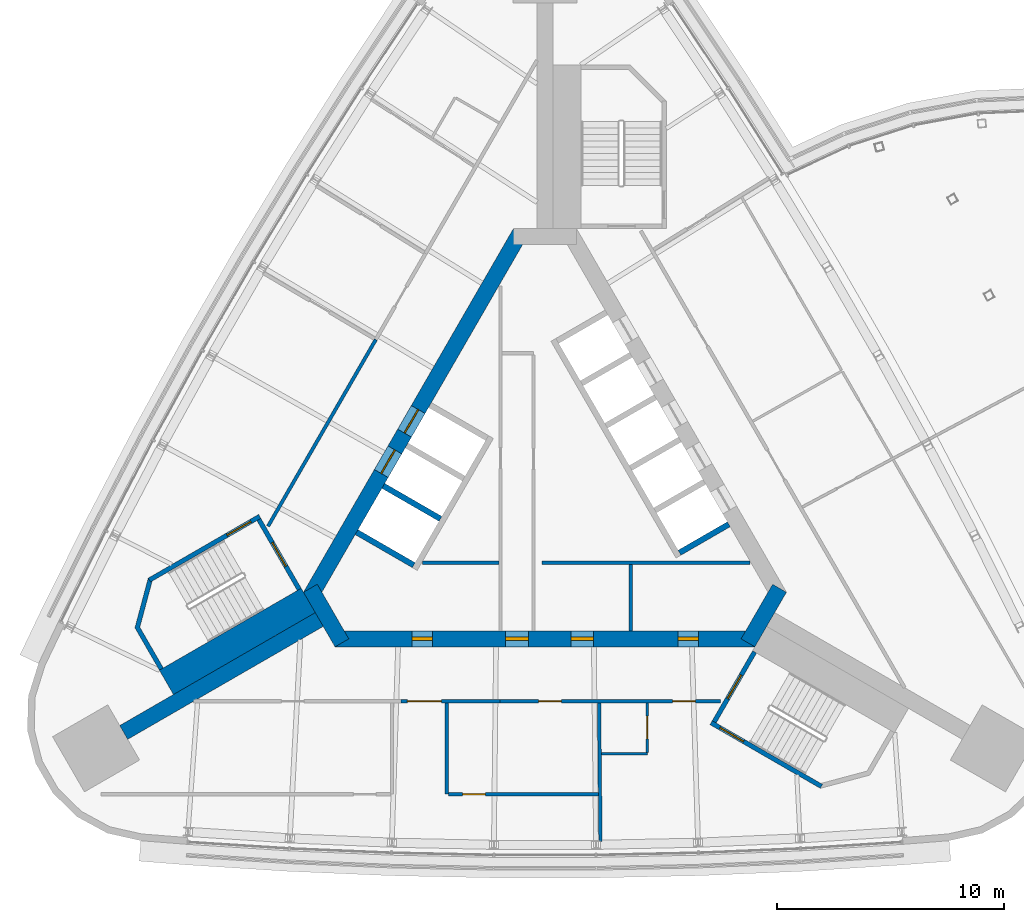
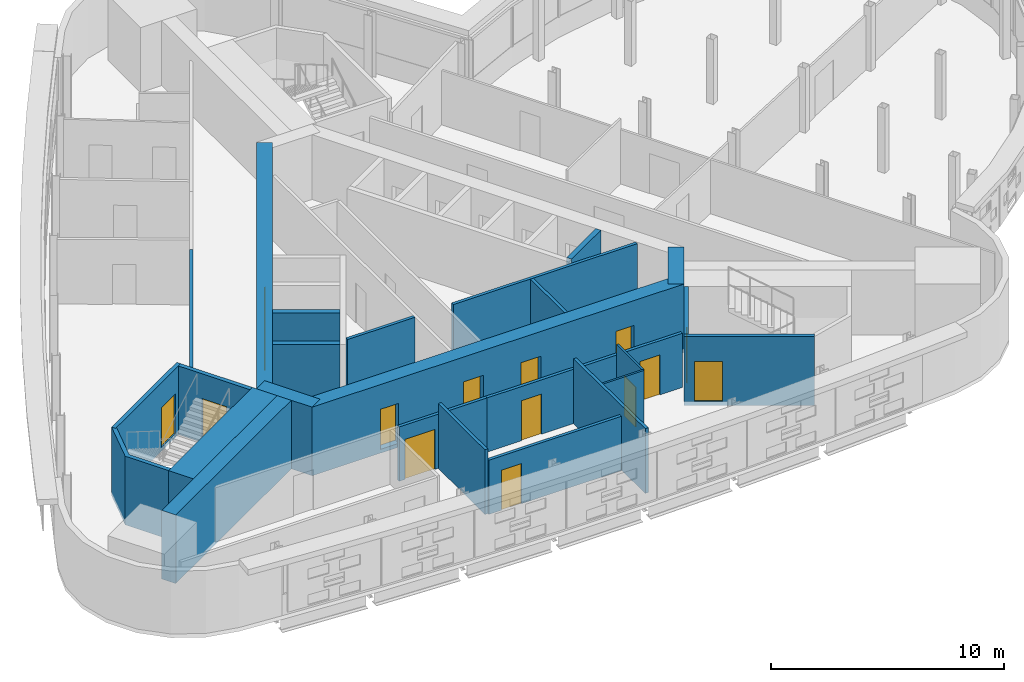
# One storey, part 10 of 15: 25 walls, 15 doors, 15 openings.
"""IFC4 building model written with IfcOpenShell, lengths in metres."""

from ifc_helpers import new_model, si_unit, direction, frame, frame_2d, origin, place, context, subcontext, project, spatial, polyline, rectangle, outline, extrude, material, layer, layer_set, type_object, element, fill, save


model = new_model("IFC4")

# Units and contexts
model_context = context("Model", 3, precision=1e-05, world=origin(), true_north=direction((0.0, 1.0)))
body_context = subcontext(model_context, "Body", "Model", "MODEL_VIEW")
ifc_project = project(units=[si_unit("LENGTHUNIT", "METRE"), si_unit("AREAUNIT", "SQUARE_METRE"), si_unit("VOLUMEUNIT", "CUBIC_METRE"), si_unit("PLANEANGLEUNIT", "RADIAN"), si_unit("MASSUNIT", "GRAM", prefix="KILO")], contexts=[model_context])

# Site, building, storey
site_placement = place(None, origin())
site = spatial("IfcSite", under=ifc_project, at=site_placement, CompositionType="ELEMENT")
building_placement = place(site_placement, origin())
building = spatial("IfcBuilding", under=site, at=building_placement, Name="Noor Cloister Tower", CompositionType="ELEMENT")
storey_placement = place(building_placement, frame((0.0, 0.0, 174.300048828125)))
storey = spatial("IfcBuildingStorey", under=building, at=storey_placement, Name="L44", CompositionType="ELEMENT", Elevation=174.300048828125)

# Walls
ifc_material_1 = material(Name="Concrete C70/85", Category="concrete")
ifc_layer_1 = layer(ifc_material_1, 0.699951171875)
ifc_layer_set_1 = layer_set([ifc_layer_1], Name="Buttress wall 700 C70/85")
wall_type_1 = type_object("IfcWallType", Name="Buttress wall 700 C70/85", PredefinedType="SHEAR", material=ifc_layer_set_1)
wall_1_placement = place(storey_placement, frame((-9.921630859375, -5.728271484375, -0.199951171875), z_axis=(0.0, 0.0, 1.0), x_axis=(-0.866029553954, -0.499992811627, 0.0)))
element("IfcWall", 1, at=wall_1_placement, inside=storey, type_object=wall_type_1, Name="Buttress wall SW L44", PredefinedType="SHEAR", context=body_context, shape_type="SweptSolid", body=[
    extrude(rectangle(XDim=9.927490234375, YDim=0.699951171875, at=frame_2d((4.9638671875, 0.0))), origin(), (0.0, 0.0, 1.0), 3.599853515625),
])
ifc_material_2 = material(Name="Concrete C30/37", Category="concrete")
ifc_layer_2 = layer(ifc_material_2, 0.14990234375)
ifc_layer_set_2 = layer_set([ifc_layer_2], Name="Core partition 150 C30/37")
wall_type_2 = type_object("IfcWallType", Name="Core partition 150 C30/37", PredefinedType="PARTITIONING", material=ifc_layer_set_2)
wall_2_placement = place(storey_placement, frame((-5.373291015625, -3.228271484375, 0.0), z_axis=(0.0, 0.0, 1.0), x_axis=(1.0, 0.0, 0.0)))
element("IfcWall", 2, at=wall_2_placement, inside=storey, type_object=wall_type_2, Name="Core room partition L44 1", PredefinedType="PARTITIONING", context=body_context, shape_type="SweptSolid", body=[
    extrude(rectangle(XDim=3.344482421875, YDim=0.14990234375, at=frame_2d((1.67236328125, 0.0))), origin(), (0.0, 0.0, 1.0), 3.39990234375),
])
wall_3_placement = place(storey_placement, frame((-0.128662109375, -3.228271484375, 0.0), z_axis=(0.0, 0.0, 1.0), x_axis=(1.0, 0.0, 0.0)))
element("IfcWall", 3, at=wall_3_placement, inside=storey, type_object=wall_type_2, Name="Core room partition L44 5", PredefinedType="PARTITIONING", context=body_context, shape_type="SweptSolid", body=[
    extrude(rectangle(XDim=9.13916015625, YDim=0.14990234375, at=frame_2d((4.569580078125, 0.0))), origin(), (0.0, 0.0, 1.0), 3.39990234375),
])
wall_4_placement = place(storey_placement, frame((3.771240234375, -3.30322265625, 0.0), z_axis=(0.0, 0.0, 1.0), x_axis=(0.0, -1.0, 0.0)))
element("IfcWall", 4, at=wall_4_placement, inside=storey, type_object=wall_type_2, Name="Core room partition L44 6", PredefinedType="PARTITIONING", context=body_context, shape_type="SweptSolid", body=[
    extrude(rectangle(XDim=2.925048828125, YDim=0.14990234375, at=frame_2d((1.46240234375, 0.0))), origin(), (0.0, 0.0, 1.0), 3.39990234375),
])

# Wall, openings, doors
ifc_material_3 = material(Name="Concrete C70/85", Category="concrete")
ifc_layer_3 = layer(ifc_material_3, 0.699951171875)
ifc_layer_set_3 = layer_set([ifc_layer_3], Name="Core wall 700 C70/85")
wall_type_3 = type_object("IfcWallType", Name="Core wall 700 C70/85", PredefinedType="SHEAR", material=ifc_layer_set_3)
wall_5_placement = place(storey_placement, frame((-9.228759765625, -6.578125, -0.199951171875), z_axis=(0.0, 0.0, 1.0), x_axis=(1.0, 0.0, 0.0)))
wall_5 = element("IfcWall", 5, at=wall_5_placement, inside=storey, type_object=wall_type_3, Name="Core wall L44 1", PredefinedType="SHEAR", context=body_context, shape_type="SweptSolid", body=[
    extrude(rectangle(XDim=18.45751953125, YDim=0.699951171875, at=frame_2d((9.228759765625, 0.0))), origin(), (0.0, 0.0, 1.0), 3.599853515625),
])
opening_1_placement = place(wall_5_placement, frame((7.5, 0.0, 0.199951171875)))
opening_1 = element("IfcOpeningElement", 6, at=opening_1_placement, cuts=wall_5, Name="Opening L44-901", PredefinedType="OPENING", context=body_context, shape_type="SweptSolid", body=[
    extrude(rectangle(XDim=1.0, YDim=2.10009765625, at=frame_2d((0.5, 1.050048828125))), frame((0.0, 0.35986328125, 0.0), z_axis=(0.0, -1.0, 0.0), x_axis=(1.0, 0.0, 0.0)), (0.0, 0.0, 1.0), 0.719970703125),
])
opening_2_placement = place(wall_5_placement, frame((3.389404296875, 0.0, 0.199951171875)))
opening_2 = element("IfcOpeningElement", 7, at=opening_2_placement, cuts=wall_5, Name="Opening L44-902", PredefinedType="OPENING", context=body_context, shape_type="SweptSolid", body=[
    extrude(rectangle(XDim=0.89990234375, YDim=2.10009765625, at=frame_2d((0.449951171875, 1.050048828125))), frame((0.0, 0.35986328125, 0.0), z_axis=(0.0, -1.0, 0.0), x_axis=(1.0, 0.0, 0.0)), (0.0, 0.0, 1.0), 0.719970703125),
])
opening_3_placement = place(wall_5_placement, frame((10.362548828125, 0.0, 0.199951171875)))
opening_3 = element("IfcOpeningElement", 8, at=opening_3_placement, cuts=wall_5, Name="Opening L44-903", PredefinedType="OPENING", context=body_context, shape_type="SweptSolid", body=[
    extrude(rectangle(XDim=1.0, YDim=2.10009765625, at=frame_2d((0.5, 1.050048828125))), frame((0.0, 0.35986328125, 0.0), z_axis=(0.0, -1.0, 0.0), x_axis=(1.0, 0.0, 0.0)), (0.0, 0.0, 1.0), 0.719970703125),
])
opening_4_placement = place(wall_5_placement, frame((15.07666015625, 0.0, 0.199951171875)))
opening_4 = element("IfcOpeningElement", 9, at=opening_4_placement, cuts=wall_5, Name="Opening L44-904", PredefinedType="OPENING", context=body_context, shape_type="SweptSolid", body=[
    extrude(rectangle(XDim=0.89990234375, YDim=2.10009765625, at=frame_2d((0.449951171875, 1.050048828125))), frame((0.0, 0.35986328125, 0.0), z_axis=(0.0, -1.0, 0.0), x_axis=(1.0, 0.0, 0.0)), (0.0, 0.0, 1.0), 0.719970703125),
])
ifc_material_4 = material(Name="Steel", Category="steel")
door_type_1 = type_object("IfcDoorType", Name="Core door 1000 x 2100 FD120", OperationType="SINGLE_SWING_LEFT", PredefinedType="DOOR", material=ifc_material_4)
door_1_placement = place(opening_1_placement, origin())
door_1 = element("IfcDoor", 10, at=door_1_placement, inside=storey, type_object=door_type_1, Name="Core door 1 L44", OperationType="SINGLE_SWING_LEFT", OverallHeight=2.10009765625, OverallWidth=1.0, PredefinedType="DOOR", context=body_context, shape_type="SweptSolid", body=[
    extrude(rectangle(XDim=1.0, YDim=2.10009765625, at=frame_2d((0.5, 1.050048828125))), frame((0.0, 0.074951171875, 0.0), z_axis=(0.0, -1.0, 0.0), x_axis=(1.0, 0.0, 0.0)), (0.0, 0.0, 1.0), 0.14990234375),
])
fill(opening_1, door_1)
ifc_material_5 = material(Name="Steel", Category="steel")
door_type_2 = type_object("IfcDoorType", Name="Core door 1000 x 2100 FD60", OperationType="SINGLE_SWING_LEFT", PredefinedType="DOOR", material=ifc_material_5)
door_2_placement = place(opening_3_placement, origin())
door_2 = element("IfcDoor", 11, at=door_2_placement, inside=storey, type_object=door_type_2, Name="Core door 3 L44", OperationType="SINGLE_SWING_LEFT", OverallHeight=2.10009765625, OverallWidth=1.0, PredefinedType="DOOR", context=body_context, shape_type="SweptSolid", body=[
    extrude(rectangle(XDim=1.0, YDim=2.10009765625, at=frame_2d((0.5, 1.050048828125))), frame((0.0, 0.074951171875, 0.0), z_axis=(0.0, -1.0, 0.0), x_axis=(1.0, 0.0, 0.0)), (0.0, 0.0, 1.0), 0.14990234375),
])
fill(opening_3, door_2)
ifc_material_6 = material(Name="Steel", Category="steel")
door_type_3 = type_object("IfcDoorType", Name="Core door 900 x 2100 FD120", OperationType="SINGLE_SWING_LEFT", PredefinedType="DOOR", material=ifc_material_6)
door_3_placement = place(opening_2_placement, origin())
door_3 = element("IfcDoor", 12, at=door_3_placement, inside=storey, type_object=door_type_3, Name="Core door 2 L44", OperationType="SINGLE_SWING_RIGHT", OverallHeight=2.10009765625, OverallWidth=0.89990234375, PredefinedType="DOOR", context=body_context, shape_type="SweptSolid", body=[
    extrude(rectangle(XDim=0.89990234375, YDim=2.10009765625, at=frame_2d((0.449951171875, 1.050048828125))), frame((0.0, 0.074951171875, 0.0), z_axis=(0.0, -1.0, 0.0), x_axis=(1.0, 0.0, 0.0)), (0.0, 0.0, 1.0), 0.14990234375),
])
fill(opening_2, door_3)
ifc_material_7 = material(Name="Steel", Category="steel")
door_type_4 = type_object("IfcDoorType", Name="Core door 900 x 2100 FD60", OperationType="SINGLE_SWING_LEFT", PredefinedType="DOOR", material=ifc_material_7)
door_4_placement = place(opening_4_placement, origin())
door_4 = element("IfcDoor", 13, at=door_4_placement, inside=storey, type_object=door_type_4, Name="Core door 4 L44", OperationType="SINGLE_SWING_RIGHT", OverallHeight=2.10009765625, OverallWidth=0.89990234375, PredefinedType="DOOR", context=body_context, shape_type="SweptSolid", body=[
    extrude(rectangle(XDim=0.89990234375, YDim=2.10009765625, at=frame_2d((0.449951171875, 1.050048828125))), frame((0.0, 0.074951171875, 0.0), z_axis=(0.0, -1.0, 0.0), x_axis=(1.0, 0.0, 0.0)), (0.0, 0.0, 1.0), 0.14990234375),
])
fill(opening_4, door_4)

# Wall
wall_6_placement = place(storey_placement, frame((8.925537109375, -6.753173828125, -0.199951171875), z_axis=(0.0, 0.0, 1.0), x_axis=(0.500042739161, 0.866000726912, 0.0)))
element("IfcWall", 14, at=wall_6_placement, inside=storey, type_object=wall_type_3, Name="Core wall L44 2", PredefinedType="SHEAR", context=body_context, shape_type="SweptSolid", body=[
    extrude(rectangle(XDim=2.771240234375, YDim=0.699951171875, at=frame_2d((1.3857421875, 0.0))), origin(), (0.0, 0.0, 1.0), 3.599853515625),
])

# Wall, openings, doors
wall_7_placement = place(storey_placement, frame((-1.08251953125, 11.281494140625, -0.199951171875), z_axis=(0.0, 0.0, 1.0), x_axis=(-0.500001446645, -0.866024568562, 0.0)))
wall_7 = element("IfcWall", 15, at=wall_7_placement, inside=storey, type_object=wall_type_3, Name="Core wall L44 5", PredefinedType="SHEAR", context=body_context, shape_type="SweptSolid", body=[
    extrude(rectangle(XDim=18.45751953125, YDim=0.699951171875, at=frame_2d((9.228759765625, 0.0))), origin(), (0.0, 0.0, 1.0), 3.599853515625),
])
opening_5_placement = place(wall_7_placement, frame((8.978759765625, 0.0, 0.199951171875)))
opening_5 = element("IfcOpeningElement", 16, at=opening_5_placement, cuts=wall_7, Name="Opening L44-FF1", PredefinedType="OPENING", context=body_context, shape_type="SweptSolid", body=[
    extrude(rectangle(XDim=1.199951171875, YDim=2.10009765625, at=frame_2d((0.60009765625, 1.050048828125))), frame((0.0, 0.35986328125, 0.0), z_axis=(0.0, -1.0, 0.0), x_axis=(1.0, 0.0, 0.0)), (0.0, 0.0, 1.0), 0.719970703125),
])
opening_6_placement = place(wall_7_placement, frame((11.02880859375, 0.0, 0.199951171875)))
opening_6 = element("IfcOpeningElement", 17, at=opening_6_placement, cuts=wall_7, Name="Opening L44-FF2", PredefinedType="OPENING", context=body_context, shape_type="SweptSolid", body=[
    extrude(rectangle(XDim=1.199951171875, YDim=2.10009765625, at=frame_2d((0.60009765625, 1.050048828125))), frame((0.0, 0.35986328125, 0.0), z_axis=(0.0, -1.0, 0.0), x_axis=(1.0, 0.0, 0.0)), (0.0, 0.0, 1.0), 0.719970703125),
])
ifc_material_8 = material(Name="Stainless steel", Category="steel")
door_type_5 = type_object("IfcDoorType", Name="Lift landing door 1200 x 2100", OperationType="DOUBLE_DOOR_SLIDING", PredefinedType="DOOR", material=ifc_material_8)
door_5_placement = place(opening_5_placement, origin())
door_5 = element("IfcDoor", 18, at=door_5_placement, inside=storey, type_object=door_type_5, Name="Landing door FF1 L44", OperationType="DOUBLE_DOOR_SLIDING", OverallHeight=2.10009765625, OverallWidth=1.199951171875, PredefinedType="DOOR", context=body_context, shape_type="SweptSolid", body=[
    extrude(rectangle(XDim=1.199951171875, YDim=2.10009765625, at=frame_2d((0.60009765625, 1.050048828125))), frame((0.0, 0.02490234375, 0.0), z_axis=(0.0, -1.0, 0.0), x_axis=(1.0, 0.0, 0.0)), (0.0, 0.0, 1.0), 0.050048828125),
])
fill(opening_5, door_5)
door_6_placement = place(opening_6_placement, origin())
door_6 = element("IfcDoor", 19, at=door_6_placement, inside=storey, type_object=door_type_5, Name="Landing door FF2 L44", OperationType="DOUBLE_DOOR_SLIDING", OverallHeight=2.10009765625, OverallWidth=1.199951171875, PredefinedType="DOOR", context=body_context, shape_type="SweptSolid", body=[
    extrude(rectangle(XDim=1.199951171875, YDim=2.10009765625, at=frame_2d((0.60009765625, 1.050048828125))), frame((0.0, 0.02490234375, 0.0), z_axis=(0.0, -1.0, 0.0), x_axis=(1.0, 0.0, 0.0)), (0.0, 0.0, 1.0), 0.050048828125),
])
fill(opening_6, door_6)

# Walls
wall_8_placement = place(storey_placement, frame((-10.311279296875, -4.353271484375, -0.199951171875), z_axis=(0.0, 0.0, 1.0), x_axis=(0.500042739161, -0.866000726912, 0.0)))
element("IfcWall", 20, at=wall_8_placement, inside=storey, type_object=wall_type_3, Name="Core wall L44 6", PredefinedType="SHEAR", context=body_context, shape_type="SweptSolid", body=[
    extrude(rectangle(XDim=2.771240234375, YDim=0.699951171875, at=frame_2d((1.3857421875, 0.0))), origin(), (0.0, 0.0, 1.0), 3.599853515625),
])
ifc_material_9 = material(Name="Fire-rated gypsum board partition on steel studs, 150 mm", Category="steel")
ifc_layer_4 = layer(ifc_material_9, 0.14990234375)
ifc_layer_set_4 = layer_set([ifc_layer_4], Name="Fire lobby wall 150")
wall_type_4 = type_object("IfcWallType", Name="Fire lobby wall 150", PredefinedType="PARTITIONING", material=ifc_layer_set_4)
wall_9_placement = place(storey_placement, frame((-7.43408203125, 6.580078125, 0.0), z_axis=(0.0, 0.0, 1.0), x_axis=(-0.499998195608, -0.866026445548, 0.0)))
element("IfcWall", 21, at=wall_9_placement, inside=storey, type_object=wall_type_4, Name="Wall L44-W19", PredefinedType="PARTITIONING", context=body_context, shape_type="SweptSolid", body=[
    extrude(rectangle(XDim=9.47802734375, YDim=0.14990234375, at=frame_2d((4.739013671875, 0.0))), origin(), (0.0, 0.0, 1.0), 2.846923828125),
])

# Wall, openings, doors
ifc_material_10 = material(Name="Gypsum board partition on steel studs, 150 mm", Category="steel")
ifc_layer_5 = layer(ifc_material_10, 0.14990234375)
ifc_layer_set_5 = layer_set([ifc_layer_5], Name="Flat wall 150")
wall_type_5 = type_object("IfcWallType", Name="Flat wall 150", PredefinedType="PARTITIONING", material=ifc_layer_set_5)
wall_10_placement = place(storey_placement, frame((-1.977294921875, -9.328125, 0.0), z_axis=(0.0, 0.0, 1.0), x_axis=(1.0, 0.0, 0.0)))
wall_10 = element("IfcWall", 22, at=wall_10_placement, inside=storey, type_object=wall_type_5, Name="Wall L44-W09", PredefinedType="PARTITIONING", context=body_context, shape_type="SweptSolid", body=[
    extrude(rectangle(XDim=9.704833984375, YDim=0.14990234375, at=frame_2d((4.8525390625, 0.0))), origin(), (0.0, 0.0, 1.0), 2.846923828125),
])
opening_7_placement = place(wall_10_placement, frame((1.702392578125, 0.0, 0.0)))
opening_7 = element("IfcOpeningElement", 23, at=opening_7_placement, cuts=wall_10, Name="Opening L44-012", PredefinedType="OPENING", context=body_context, shape_type="SweptSolid", body=[
    extrude(rectangle(XDim=1.0, YDim=2.10009765625, at=frame_2d((0.5, 1.050048828125))), frame((0.0, 0.0849609375, 0.0), z_axis=(0.0, -1.0, 0.0), x_axis=(1.0, 0.0, 0.0)), (0.0, 0.0, 1.0), 0.169921875),
])
opening_8_placement = place(wall_10_placement, frame((7.592041015625, 0.0, 0.0)))
opening_8 = element("IfcOpeningElement", 24, at=opening_8_placement, cuts=wall_10, Name="Opening L44-014", PredefinedType="OPENING", context=body_context, shape_type="SweptSolid", body=[
    extrude(rectangle(XDim=1.0, YDim=2.10009765625, at=frame_2d((0.5, 1.050048828125))), frame((0.0, 0.0849609375, 0.0), z_axis=(0.0, -1.0, 0.0), x_axis=(1.0, 0.0, 0.0)), (0.0, 0.0, 1.0), 0.169921875),
])
ifc_material_11 = material(Name="Timber door leaf with steel frame", Category="steel")
door_type_6 = type_object("IfcDoorType", Name="Flat entrance door 1000", OperationType="NOTDEFINED", PredefinedType="DOOR", material=ifc_material_11)
door_7_placement = place(opening_8_placement, origin())
door_7 = element("IfcDoor", 25, at=door_7_placement, inside=storey, type_object=door_type_6, Name="Door L44-014", OperationType="SINGLE_SWING_RIGHT", OverallHeight=2.10009765625, OverallWidth=1.0, PredefinedType="DOOR", context=body_context, shape_type="SweptSolid", body=[
    extrude(rectangle(XDim=1.0, YDim=2.10009765625, at=frame_2d((0.5, 1.050048828125))), frame((0.0, 0.02490234375, 0.0), z_axis=(0.0, -1.0, 0.0), x_axis=(1.0, 0.0, 0.0)), (0.0, 0.0, 1.0), 0.050048828125),
])
fill(opening_8, door_7)
ifc_material_12 = material(Name="Timber door leaf with steel frame", Category="steel")
door_type_7 = type_object("IfcDoorType", Name="Interior door 1000 FD60", OperationType="NOTDEFINED", PredefinedType="DOOR", material=ifc_material_12)
door_8_placement = place(opening_7_placement, origin())
door_8 = element("IfcDoor", 26, at=door_8_placement, inside=storey, type_object=door_type_7, Name="Door L44-012", OperationType="SINGLE_SWING_RIGHT", OverallHeight=2.10009765625, OverallWidth=1.0, PredefinedType="DOOR", context=body_context, shape_type="SweptSolid", body=[
    extrude(rectangle(XDim=1.0, YDim=2.10009765625, at=frame_2d((0.5, 1.050048828125))), frame((0.0, 0.02490234375, 0.0), z_axis=(0.0, -1.0, 0.0), x_axis=(1.0, 0.0, 0.0)), (0.0, 0.0, 1.0), 0.050048828125),
])
fill(opening_7, door_8)

# Wall, opening, door
wall_11_placement = place(storey_placement, frame((-6.333984375, -9.328125, 0.0), z_axis=(0.0, 0.0, 1.0), x_axis=(1.0, 0.0, 0.0)))
wall_11 = element("IfcWall", 27, at=wall_11_placement, inside=storey, type_object=wall_type_5, Name="Wall L44-W10", PredefinedType="PARTITIONING", context=body_context, shape_type="SweptSolid", body=[
    extrude(rectangle(XDim=4.356689453125, YDim=0.14990234375, at=frame_2d((2.17822265625, 0.0))), origin(), (0.0, 0.0, 1.0), 2.846923828125),
])
opening_9_placement = place(wall_11_placement, frame((0.280517578125, 0.0, 0.0)))
opening_9 = element("IfcOpeningElement", 28, at=opening_9_placement, cuts=wall_11, Name="Opening L44-008", PredefinedType="OPENING", context=body_context, shape_type="SweptSolid", body=[
    extrude(rectangle(XDim=1.5, YDim=2.10009765625, at=frame_2d((0.75, 1.050048828125))), frame((0.0, 0.0849609375, 0.0), z_axis=(0.0, -1.0, 0.0), x_axis=(1.0, 0.0, 0.0)), (0.0, 0.0, 1.0), 0.169921875),
])
ifc_material_13 = material(Name="Timber door leaf with steel frame", Category="steel")
door_type_8 = type_object("IfcDoorType", Name="Double door 1500 FD60", OperationType="NOTDEFINED", PredefinedType="DOOR", material=ifc_material_13)
door_9_placement = place(opening_9_placement, origin())
door_9 = element("IfcDoor", 29, at=door_9_placement, inside=storey, type_object=door_type_8, Name="Door L44-008", OperationType="DOUBLE_DOOR_SINGLE_SWING", OverallHeight=2.10009765625, OverallWidth=1.5, PredefinedType="DOOR", context=body_context, shape_type="SweptSolid", body=[
    extrude(rectangle(XDim=1.5, YDim=2.10009765625, at=frame_2d((0.75, 1.050048828125))), frame((0.0, 0.02490234375, 0.0), z_axis=(0.0, -1.0, 0.0), x_axis=(1.0, 0.0, 0.0)), (0.0, 0.0, 1.0), 0.050048828125),
])
fill(opening_9, door_9)

# Walls
wall_12_placement = place(storey_placement, frame((2.442626953125, -15.47900390625, 0.0), z_axis=(0.0, 0.0, 1.0), x_axis=(-0.010607777316, 0.999943735947, 0.0)))
element("IfcWall", 30, at=wall_12_placement, inside=storey, type_object=wall_type_5, Name="Wall L44-W11", PredefinedType="PARTITIONING", context=body_context, shape_type="SweptSolid", body=[
    extrude(rectangle(XDim=6.075927734375, YDim=0.14990234375, at=frame_2d((3.0380859375, 0.0))), origin(), (0.0, 0.0, 1.0), 3.39990234375),
])
wall_13_placement = place(storey_placement, frame((-4.322998046875, -9.4033203125, 0.0), z_axis=(0.0, 0.0, 1.0), x_axis=(0.0, -1.0, 0.0)))
element("IfcWall", 31, at=wall_13_placement, inside=storey, type_object=wall_type_5, Name="Wall L44-W13", PredefinedType="PARTITIONING", context=body_context, shape_type="SweptSolid", body=[
    extrude(rectangle(XDim=4.004638671875, YDim=0.14990234375, at=frame_2d((2.00244140625, 0.0))), origin(), (0.0, 0.0, 1.0), 3.39990234375),
])

# Wall, opening, door
wall_14_placement = place(storey_placement, frame((-4.248046875, -13.407958984375, 0.0), z_axis=(0.0, 0.0, 1.0), x_axis=(1.0, 0.0, 0.0)))
wall_14 = element("IfcWall", 32, at=wall_14_placement, inside=storey, type_object=wall_type_5, Name="Wall L44-W15", PredefinedType="PARTITIONING", context=body_context, shape_type="SweptSolid", body=[
    extrude(rectangle(XDim=6.593505859375, YDim=0.14990234375, at=frame_2d((3.296875, 0.0))), origin(), (0.0, 0.0, 1.0), 2.846923828125),
])
opening_10_placement = place(wall_14_placement, frame((0.625, 0.0, 0.0)))
opening_10 = element("IfcOpeningElement", 33, at=opening_10_placement, cuts=wall_14, Name="Opening L44-011", PredefinedType="OPENING", context=body_context, shape_type="SweptSolid", body=[
    extrude(rectangle(XDim=1.0, YDim=2.10009765625, at=frame_2d((0.5, 1.050048828125))), frame((0.0, 0.0849609375, 0.0), z_axis=(0.0, -1.0, 0.0), x_axis=(1.0, 0.0, 0.0)), (0.0, 0.0, 1.0), 0.169921875),
])
door_10_placement = place(opening_10_placement, origin())
door_10 = element("IfcDoor", 34, at=door_10_placement, inside=storey, type_object=door_type_7, Name="Door L44-011", OperationType="SINGLE_SWING_LEFT", OverallHeight=2.10009765625, OverallWidth=1.0, PredefinedType="DOOR", context=body_context, shape_type="SweptSolid", body=[
    extrude(rectangle(XDim=1.0, YDim=2.10009765625, at=frame_2d((0.5, 1.050048828125))), frame((0.0, 0.02490234375, 0.0), z_axis=(0.0, -1.0, 0.0), x_axis=(1.0, 0.0, 0.0)), (0.0, 0.0, 1.0), 0.050048828125),
])
fill(opening_10, door_10)

# Wall
ifc_material_14 = material(Name="Gypsum board partition on steel studs, 100 mm", Category="steel")
ifc_layer_6 = layer(ifc_material_14, 0.10009765625)
ifc_layer_set_6 = layer_set([ifc_layer_6], Name="Partition 100")
wall_type_6 = type_object("IfcWallType", Name="Partition 100", PredefinedType="PARTITIONING", material=ifc_layer_set_6)
wall_15_placement = place(storey_placement, frame((2.476806640625, -11.628173828125, 0.0), z_axis=(0.0, 0.0, 1.0), x_axis=(1.0, 0.0, 0.0)))
element("IfcWall", 35, at=wall_15_placement, inside=storey, type_object=wall_type_6, Name="Wall L44-W16", PredefinedType="PARTITIONING", context=body_context, shape_type="SweptSolid", body=[
    extrude(rectangle(XDim=2.02490234375, YDim=0.10009765625, at=frame_2d((1.012451171875, 0.0))), origin(), (0.0, 0.0, 1.0), 3.39990234375),
])

# Wall, opening, door
wall_16_placement = place(storey_placement, frame((4.501708984375, -11.578125, 0.0), z_axis=(0.0, 0.0, 1.0), x_axis=(0.0, 1.0, 0.0)))
wall_16 = element("IfcWall", 36, at=wall_16_placement, inside=storey, type_object=wall_type_6, Name="Wall L44-W17", PredefinedType="PARTITIONING", context=body_context, shape_type="SweptSolid", body=[
    extrude(rectangle(XDim=2.1748046875, YDim=0.10009765625, at=frame_2d((1.08740234375, 0.0))), origin(), (0.0, 0.0, 1.0), 3.39990234375),
])
opening_11_placement = place(wall_16_placement, frame((0.60009765625, 0.0, 0.0)))
opening_11 = element("IfcOpeningElement", 37, at=opening_11_placement, cuts=wall_16, Name="Opening L44-013", PredefinedType="OPENING", context=body_context, shape_type="SweptSolid", body=[
    extrude(rectangle(XDim=1.0, YDim=2.10009765625, at=frame_2d((0.5, 1.050048828125))), frame((0.0, 0.06005859375, 0.0), z_axis=(0.0, -1.0, 0.0), x_axis=(1.0, 0.0, 0.0)), (0.0, 0.0, 1.0), 0.1201171875),
])
ifc_material_15 = material(Name="Timber door leaf with steel frame", Category="steel")
door_type_9 = type_object("IfcDoorType", Name="Interior door 1000", OperationType="NOTDEFINED", PredefinedType="DOOR", material=ifc_material_15)
door_11_placement = place(opening_11_placement, origin())
door_11 = element("IfcDoor", 38, at=door_11_placement, inside=storey, type_object=door_type_9, Name="Door L44-013", OperationType="SINGLE_SWING_LEFT", OverallHeight=2.10009765625, OverallWidth=1.0, PredefinedType="DOOR", context=body_context, shape_type="SweptSolid", body=[
    extrude(rectangle(XDim=1.0, YDim=2.10009765625, at=frame_2d((0.5, 1.050048828125))), frame((0.0, 0.02490234375, 0.0), z_axis=(0.0, -1.0, 0.0), x_axis=(1.0, 0.0, 0.0)), (0.0, 0.0, 1.0), 0.050048828125),
])
fill(opening_11, door_11)

# Walls
ifc_material_16 = material(Name="Concrete C70/85", Category="concrete")
ifc_layer_7 = layer(ifc_material_16, 0.25)
ifc_layer_set_7 = layer_set([ifc_layer_7], Name="Shaft wall 250 C70/85")
wall_type_7 = type_object("IfcWallType", Name="Shaft wall 250 C70/85", PredefinedType="PARTITIONING", material=ifc_layer_set_7)
wall_17_placement = place(storey_placement, frame((8.081298828125, -1.540771484375, -0.199951171875), z_axis=(0.0, 0.0, 1.0), x_axis=(-0.866022959057, -0.500004234368, 0.0)))
element("IfcWall", 39, at=wall_17_placement, inside=storey, type_object=wall_type_7, Name="Lift shaft wall L44 NE 1", PredefinedType="PARTITIONING", context=body_context, shape_type="SweptSolid", body=[
    extrude(rectangle(XDim=2.5, YDim=0.25, at=frame_2d((1.25, 0.0))), origin(), (0.0, 0.0, 1.0), 3.599853515625),
])
for number, where, z_axis, x_axis, name in (
    (40, (-7.106201171875, 0.14794921875, -0.199951171875), (0.0, 0.0, 1.0), (0.866032775405, -0.499987231761, 0.0), "Lift shaft wall L44 NW 5"),
    (41, (-8.28125, -1.88720703125, -0.199951171875), (0.0, 0.0, 1.0), (0.866032775405, -0.499987231761, 0.0), "Lift shaft wall L44 NW 6"),
):
    element("IfcWall", number, at=place(storey_placement, frame(where, z_axis=z_axis, x_axis=x_axis)), inside=storey, type_object=wall_type_7, Name=name, PredefinedType="PARTITIONING", context=body_context, shape_type="SweptSolid", body=[
        extrude(rectangle(XDim=2.89990234375, YDim=0.25, at=frame_2d((1.449951171875, 0.0))), origin(), (0.0, 0.0, 1.0), 3.599853515625),
    ])
ifc_material_17 = material(Name="Concrete C70/85", Category="concrete")
ifc_layer_8 = layer(ifc_material_17, 1.236083984375)
ifc_layer_set_8 = layer_set([ifc_layer_8], Name="Stair enclosure wall 1236 C70/85")
wall_type_8 = type_object("IfcWallType", Name="Stair enclosure wall 1236 C70/85", PredefinedType="SHEAR", material=ifc_layer_set_8)
wall_18_placement = place(storey_placement, frame((-10.405517578125, -4.889892578125, -0.199951171875), z_axis=(0.0, 0.0, 1.0), x_axis=(-0.866018442252, -0.500012057535, 0.0)))
element("IfcWall", 42, at=wall_18_placement, inside=storey, type_object=wall_type_8, Name="Stair enclosure wall ST2 L44 riser side", PredefinedType="SHEAR", context=body_context, shape_type="SweptSolid", body=[
    extrude(rectangle(XDim=7.199951171875, YDim=1.235595703125, at=frame_2d((3.60009765625, 0.0))), origin(), (0.0, 0.0, 1.0), 3.599853515625),
])

# Wall, opening, door
ifc_material_18 = material(Name="Concrete C70/85", Category="concrete")
ifc_layer_9 = layer(ifc_material_18, 0.199951171875)
ifc_layer_set_9 = layer_set([ifc_layer_9], Name="Stair enclosure wall 200 C70/85")
wall_type_9 = type_object("IfcWallType", Name="Stair enclosure wall 200 C70/85", PredefinedType="SHEAR", material=ifc_layer_set_9)
wall_19_placement = place(storey_placement, frame((-12.575927734375, -1.33056640625, -0.199951171875), z_axis=(0.0, 0.0, 1.0), x_axis=(0.499970499736, -0.8660424351, 0.0)))
wall_19 = element("IfcWall", 43, at=wall_19_placement, inside=storey, type_object=wall_type_9, Name="Stair enclosure wall ST2 L44 near end", PredefinedType="SHEAR", context=body_context, shape_type="SweptSolid", body=[
    extrude(rectangle(XDim=3.550048828125, YDim=0.199951171875, at=frame_2d((1.77490234375, 0.0))), origin(), (0.0, 0.0, 1.0), 3.599853515625),
])
opening_12_placement = place(wall_19_placement, frame((1.175048828125, 0.0, 0.199951171875)))
opening_12 = element("IfcOpeningElement", 44, at=opening_12_placement, cuts=wall_19, Name="Opening L44-ST2L", PredefinedType="OPENING", context=body_context, shape_type="SweptSolid", body=[
    extrude(rectangle(XDim=1.199951171875, YDim=2.10009765625, at=frame_2d((0.60009765625, 1.050048828125))), frame((0.0, 0.10986328125, 0.0), z_axis=(0.0, -1.0, 0.0), x_axis=(1.0, 0.0, 0.0)), (0.0, 0.0, 1.0), 0.219970703125),
])
ifc_material_19 = material(Name="Steel", Category="steel")
door_type_10 = type_object("IfcDoorType", Name="Stair door 1200 x 2100 FD120", OperationType="SINGLE_SWING_LEFT", PredefinedType="DOOR", material=ifc_material_19)
door_12_placement = place(opening_12_placement, origin())
door_12 = element("IfcDoor", 45, at=door_12_placement, inside=storey, type_object=door_type_10, Name="Stair door ST2 L44", OperationType="SINGLE_SWING_RIGHT", OverallHeight=2.10009765625, OverallWidth=1.199951171875, PredefinedType="DOOR", context=body_context, shape_type="SweptSolid", body=[
    extrude(rectangle(XDim=1.199951171875, YDim=2.10009765625, at=frame_2d((0.60009765625, 1.050048828125))), frame((0.0, 0.02490234375, 0.0), z_axis=(0.0, -1.0, 0.0), x_axis=(1.0, 0.0, 0.0)), (0.0, 0.0, 1.0), 0.050048828125),
])
fill(opening_12, door_12)

wall_20_placement = place(storey_placement, frame((-12.539306640625, -1.194091796875, -0.199951171875), z_axis=(0.0, 0.0, 1.0), x_axis=(-0.866045472092, -0.499965239061, 0.0)))
wall_20 = element("IfcWall", 46, at=wall_20_placement, inside=storey, type_object=wall_type_9, Name="Stair enclosure wall ST2 L44 outer side", PredefinedType="SHEAR", context=body_context, shape_type="SweptSolid", body=[
    extrude(rectangle(XDim=5.60009765625, YDim=0.199951171875, at=frame_2d((2.800048828125, 0.0))), origin(), (0.0, 0.0, 1.0), 3.599853515625),
])
opening_13_placement = place(wall_20_placement, frame((0.449951171875, 0.0, 0.199951171875)))
opening_13 = element("IfcOpeningElement", 47, at=opening_13_placement, cuts=wall_20, Name="Opening L44-ST2C", PredefinedType="OPENING", context=body_context, shape_type="SweptSolid", body=[
    extrude(rectangle(XDim=1.199951171875, YDim=2.10009765625, at=frame_2d((0.60009765625, 1.050048828125))), frame((0.0, 0.10986328125, 0.0), z_axis=(0.0, -1.0, 0.0), x_axis=(1.0, 0.0, 0.0)), (0.0, 0.0, 1.0), 0.219970703125),
])
door_13_placement = place(opening_13_placement, origin())
door_13 = element("IfcDoor", 48, at=door_13_placement, inside=storey, type_object=door_type_10, Name="Stair door ST2 L44", OperationType="SINGLE_SWING_LEFT", OverallHeight=2.10009765625, OverallWidth=1.199951171875, PredefinedType="DOOR", context=body_context, shape_type="SweptSolid", body=[
    extrude(rectangle(XDim=1.199951171875, YDim=2.10009765625, at=frame_2d((0.60009765625, 1.050048828125))), frame((0.0, 0.02490234375, 0.0), z_axis=(0.0, -1.0, 0.0), x_axis=(1.0, 0.0, 0.0)), (0.0, 0.0, 1.0), 0.050048828125),
])
fill(opening_13, door_13)

wall_21_placement = place(storey_placement, frame((7.440185546875, -10.225830078125, -0.199951171875), z_axis=(0.0, 0.0, 1.0), x_axis=(0.500022077904, 0.866012656725, 0.0)))
wall_21 = element("IfcWall", 49, at=wall_21_placement, inside=storey, type_object=wall_type_9, Name="Stair enclosure wall ST3 L44 near end", PredefinedType="SHEAR", context=body_context, shape_type="SweptSolid", body=[
    extrude(rectangle(XDim=3.550048828125, YDim=0.199951171875, at=frame_2d((1.77490234375, 0.0))), origin(), (0.0, 0.0, 1.0), 3.599853515625),
])
opening_14_placement = place(wall_21_placement, frame((1.175048828125, 0.0, 0.199951171875)))
opening_14 = element("IfcOpeningElement", 50, at=opening_14_placement, cuts=wall_21, Name="Opening L44-ST3L", PredefinedType="OPENING", context=body_context, shape_type="SweptSolid", body=[
    extrude(rectangle(XDim=1.199951171875, YDim=2.10009765625, at=frame_2d((0.60009765625, 1.050048828125))), frame((0.0, 0.10986328125, 0.0), z_axis=(0.0, -1.0, 0.0), x_axis=(1.0, 0.0, 0.0)), (0.0, 0.0, 1.0), 0.219970703125),
])
door_14_placement = place(opening_14_placement, origin())
door_14 = element("IfcDoor", 51, at=door_14_placement, inside=storey, type_object=door_type_10, Name="Stair door ST3 L44", OperationType="SINGLE_SWING_RIGHT", OverallHeight=2.10009765625, OverallWidth=1.199951171875, PredefinedType="DOOR", context=body_context, shape_type="SweptSolid", body=[
    extrude(rectangle(XDim=1.199951171875, YDim=2.10009765625, at=frame_2d((0.60009765625, 1.050048828125))), frame((0.0, 0.02490234375, 0.0), z_axis=(0.0, -1.0, 0.0), x_axis=(1.0, 0.0, 0.0)), (0.0, 0.0, 1.0), 0.050048828125),
])
fill(opening_14, door_14)

wall_22_placement = place(storey_placement, frame((7.3037109375, -10.262451171875, -0.199951171875), z_axis=(0.0, 0.0, 1.0), x_axis=(0.866026594901, -0.49999793692, 0.0)))
wall_22 = element("IfcWall", 52, at=wall_22_placement, inside=storey, type_object=wall_type_9, Name="Stair enclosure wall ST3 L44 outer side", PredefinedType="SHEAR", context=body_context, shape_type="SweptSolid", body=[
    extrude(rectangle(XDim=5.60009765625, YDim=0.199951171875, at=frame_2d((2.800048828125, 0.0))), origin(), (0.0, 0.0, 1.0), 3.599853515625),
])
opening_15_placement = place(wall_22_placement, frame((0.449951171875, 0.0, 0.199951171875)))
opening_15 = element("IfcOpeningElement", 53, at=opening_15_placement, cuts=wall_22, Name="Opening L44-ST3C", PredefinedType="OPENING", context=body_context, shape_type="SweptSolid", body=[
    extrude(rectangle(XDim=1.199951171875, YDim=2.10009765625, at=frame_2d((0.60009765625, 1.050048828125))), frame((0.0, 0.10986328125, 0.0), z_axis=(0.0, -1.0, 0.0), x_axis=(1.0, 0.0, 0.0)), (0.0, 0.0, 1.0), 0.219970703125),
])
door_15_placement = place(opening_15_placement, origin())
door_15 = element("IfcDoor", 54, at=door_15_placement, inside=storey, type_object=door_type_10, Name="Stair door ST3 L44", OperationType="SINGLE_SWING_LEFT", OverallHeight=2.10009765625, OverallWidth=1.199951171875, PredefinedType="DOOR", context=body_context, shape_type="SweptSolid", body=[
    extrude(rectangle(XDim=1.199951171875, YDim=2.10009765625, at=frame_2d((0.60009765625, 1.050048828125))), frame((0.0, 0.02490234375, 0.0), z_axis=(0.0, -1.0, 0.0), x_axis=(1.0, 0.0, 0.0)), (0.0, 0.0, 1.0), 0.050048828125),
])
fill(opening_15, door_15)

# Wall
ifc_material_20 = material(Name="Concrete C70/85", Category="concrete")
wall_type_10 = type_object("IfcWallType", Name="Stair far end wall C70/85", PredefinedType="SHEAR", material=ifc_material_20)
wall_23_placement = place(storey_placement, frame((0.0, 0.0, -0.199951171875)))
element("IfcWall", 55, at=wall_23_placement, inside=storey, type_object=wall_type_10, Name="Stair enclosure wall ST2 L44 far end", PredefinedType="SHEAR", context=body_context, shape_type="SweptSolid", body=[
    extrude(outline(polyline([(-17.439208984375, -3.907470703125), (-18.024658203125, -6.093017578125), (-16.94970703125, -7.955078125), (-16.776611328125, -7.85498046875), (-17.81005859375, -6.064697265625), (-17.267333984375, -4.039306640625), (-17.339111328125, -4.08056640625), (-17.339111328125, -4.08056640625), (-17.339111328125, -4.08056640625), (-17.339111328125, -4.08056640625), (-17.339111328125, -4.08056640625), (-17.339111328125, -4.08056640625), (-17.339111328125, -4.08056640625), (-17.339111328125, -4.08056640625), (-17.339111328125, -4.08056640625), (-17.339111328125, -4.08056640625), (-17.339111328125, -4.08056640625), (-17.339111328125, -4.08056640625), (-17.339111328125, -4.08056640625), (-17.339111328125, -4.08056640625), (-17.339111328125, -4.08056640625), (-17.339111328125, -4.08056640625), (-17.339111328125, -4.08056640625), (-17.439208984375, -3.907470703125)])), origin(), (0.0, 0.0, 1.0), 3.599853515625),
])

save(model, "model.ifc")
